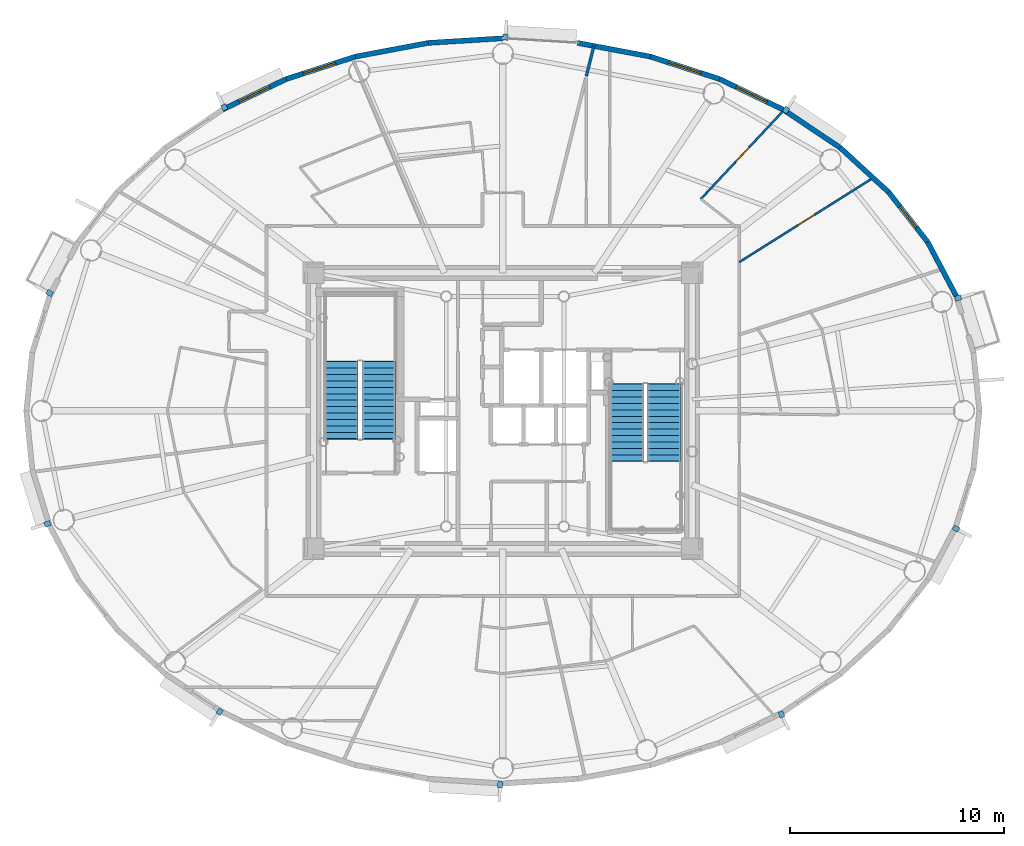
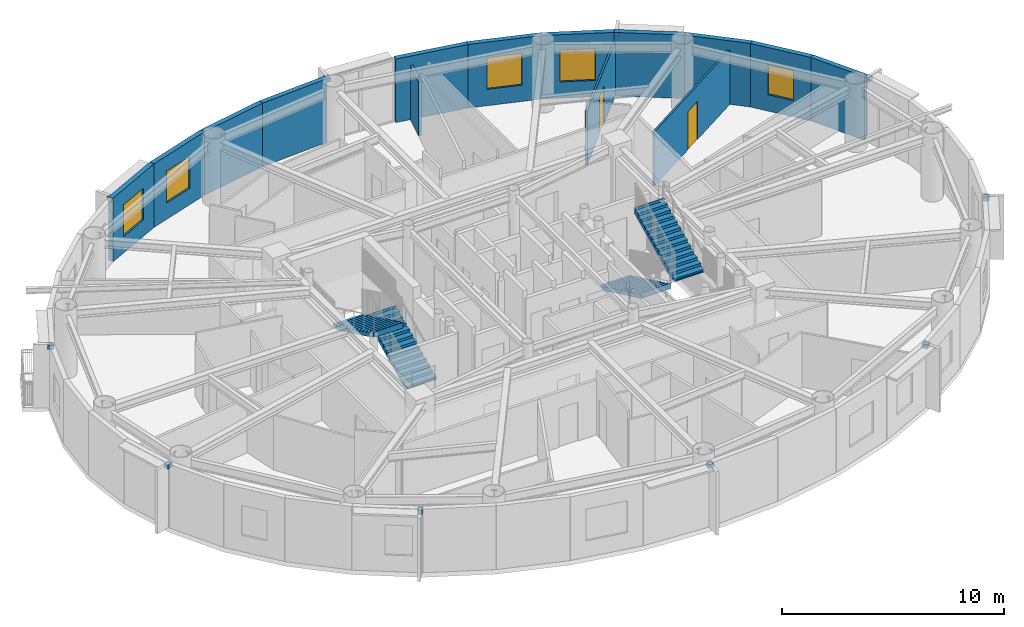
# One storey, part 10 of 18: 14 walls, 10 discrete accessories, 5 windows, 4 stair flights, 2 doors, 7 openings, 2 elements without a shape of their own.
"""IFC4 building model written with IfcOpenShell, lengths in metres."""

import ifcopenshell
import ifcopenshell.guid

model = None  # the IFC model being written
_history = None  # IfcOwnerHistory: only IFC2X3 demands one
_inside = {}  # id of a spatial element -> (the spatial element, [elements in it])
_under = {}  # id of a project, library or spatial element -> (it, [spatial elements below it])
_declared = {}  # id of a project -> (the project, [libraries it declares])
_typed = {}  # id of a type object -> (the type object, [elements of that type])
_made_of = {}  # id of a material, layer set ... -> (it, [elements and type objects made of it])


def new_model(schema):
    """Start an empty IFC model of exactly this schema.

    Asked for "IFC4X3", IfcOpenShell would pick the latest addendum, in which some entities
    have other attributes; the version numbers below select the first issue.
    IFC2X3 requires an IfcOwnerHistory on every rooted entity: one is made here for all.
    """
    global model, _history
    if schema == "IFC4X3":
        model = ifcopenshell.file(schema_version=(4, 3, 0, 0))
    else:
        model = ifcopenshell.file(schema=schema)
    _inside.clear()
    _under.clear()
    _declared.clear()
    _typed.clear()
    _made_of.clear()
    _history = None
    if model.schema == "IFC2X3":
        org = make("IfcOrganization", Name="unknown")
        user = make(
            "IfcPersonAndOrganization",
            ThePerson=make("IfcPerson", FamilyName="unknown"),
            TheOrganization=org,
        )
        app = make(
            "IfcApplication",
            ApplicationDeveloper=org,
            Version="unknown",
            ApplicationFullName="unknown",
            ApplicationIdentifier="unknown",
        )
        _history = make(
            "IfcOwnerHistory",
            OwningUser=user,
            OwningApplication=app,
            ChangeAction="ADDED",
            CreationDate=0,
        )
    return model


def make(cls, **values):
    """One entity of the class cls with the attributes given. An attribute that is None is left unset."""
    return model.create_entity(
        cls, **{name: value for name, value in values.items() if value is not None}
    )


def rooted(cls, **values):
    """An entity with a GlobalId (a new one), such as an element, a storey or a relation."""
    return make(cls, GlobalId=ifcopenshell.guid.new(), OwnerHistory=_history, **values)


def si_unit(unit_type, name, prefix=None):
    """IfcSIUnit, for example si_unit("LENGTHUNIT", "METRE", prefix="MILLI")."""
    return make("IfcSIUnit", UnitType=unit_type, Prefix=prefix, Name=name)


def assignment(units):
    """IfcUnitAssignment: the units of a project."""
    return None if units is None else make("IfcUnitAssignment", Units=units)


def point(xyz):
    """IfcCartesianPoint."""
    return None if xyz is None else make("IfcCartesianPoint", Coordinates=xyz)


def direction(xyz):
    """IfcDirection."""
    return None if xyz is None else make("IfcDirection", DirectionRatios=xyz)


def frame(location, z_axis=None, x_axis=None):
    """IfcAxis2Placement3D, a coordinate frame: its origin and axes. An axis left out is left unset."""
    return make(
        "IfcAxis2Placement3D",
        Location=point(location),
        Axis=direction(z_axis),
        RefDirection=direction(x_axis),
    )


def frame_2d(location, x_axis=None):
    """IfcAxis2Placement2D, a coordinate frame in the plane: its origin and x axis."""
    return make(
        "IfcAxis2Placement2D", Location=point(location), RefDirection=direction(x_axis)
    )


def origin():
    """The frame at (0, 0, 0) with its axes left unset."""
    return frame((0.0, 0.0, 0.0))


def origin_2d():
    """The frame at (0, 0) in the plane with its x axis left unset."""
    return frame_2d((0.0, 0.0))


def place(relative_to, where):
    """IfcLocalPlacement: puts the frame where relative to a parent placement (None: the world)."""
    return make(
        "IfcLocalPlacement", PlacementRelTo=relative_to, RelativePlacement=where
    )


def context(
    kind, dimensions, precision=None, world=None, true_north=None, identifier=None
):
    """IfcGeometricRepresentationContext, for example the 3D "Model" context."""
    return make(
        "IfcGeometricRepresentationContext",
        ContextIdentifier=identifier,
        ContextType=kind,
        CoordinateSpaceDimension=dimensions,
        Precision=precision,
        WorldCoordinateSystem=world,
        TrueNorth=true_north,
    )


def subcontext(parent, identifier, kind, view, scale=None):
    """IfcGeometricRepresentationSubContext, for example "Body" below "Model"."""
    return make(
        "IfcGeometricRepresentationSubContext",
        ContextIdentifier=identifier,
        ContextType=kind,
        ParentContext=parent,
        TargetScale=scale,
        TargetView=view,
    )


def project(units=None, contexts=None):
    """IfcProject with its units and contexts."""
    return rooted(
        "IfcProject",
        Name="project",
        RepresentationContexts=contexts,
        UnitsInContext=assignment(units),
    )


def spatial(cls, under=None, at=None, **own):
    """A site, building, storey or space (cls), placed at a placement, below another one or the project."""
    s = rooted(cls, ObjectPlacement=at, **own)
    if under is not None:
        _under.setdefault(under.id(), (under, []))[1].append(s)
    return s


def polyline(points):
    """IfcPolyline through the points."""
    return make("IfcPolyline", Points=[point(p) for p in points])


def profile(cls, at=None, kind="AREA", **sizes):
    """A parametric profile (cls). Its sizes go by their IFC names, for example OverallWidth=200.0."""
    return make(cls, ProfileType=kind, Position=at, **sizes)


def rectangle(**sizes):
    """IfcRectangleProfileDef."""
    return profile("IfcRectangleProfileDef", **sizes)


def outline(outer, holes=None, kind="AREA"):
    """IfcArbitraryClosedProfileDef: a profile drawn as a closed curve; with holes, ...WithVoids."""
    if holes is None:
        return make("IfcArbitraryClosedProfileDef", ProfileType=kind, OuterCurve=outer)
    return make(
        "IfcArbitraryProfileDefWithVoids",
        ProfileType=kind,
        OuterCurve=outer,
        InnerCurves=holes,
    )


def extrude(swept, where, along, depth):
    """IfcExtrudedAreaSolid: the profile swept, set in the frame where, extruded along a direction by depth."""
    return make(
        "IfcExtrudedAreaSolid",
        SweptArea=swept,
        Position=where,
        ExtrudedDirection=direction(along),
        Depth=depth,
    )


def shape(context_of_items, identifier, shape_type, items):
    """IfcShapeRepresentation: the items that make up one representation, for example the "Body"."""
    return make(
        "IfcShapeRepresentation",
        ContextOfItems=context_of_items,
        RepresentationIdentifier=identifier,
        RepresentationType=shape_type,
        Items=items,
    )


def source(mapping_origin, context_of_items, identifier, shape_type, items):
    """IfcRepresentationMap: a shape defined once, which mapped items show again and again."""
    return make(
        "IfcRepresentationMap",
        MappingOrigin=mapping_origin,
        MappedRepresentation=shape(context_of_items, identifier, shape_type, items),
    )


def transform(
    local_origin,
    x_axis=None,
    y_axis=None,
    z_axis=None,
    scale=None,
    scale2=None,
    scale3=None,
    uniform=True,
):
    """IfcCartesianTransformationOperator3D, or its non-uniform kind. x_axis, y_axis, z_axis: its Axis1, 2, 3."""
    if uniform:
        return make(
            "IfcCartesianTransformationOperator3D",
            Axis1=direction(x_axis),
            Axis2=direction(y_axis),
            LocalOrigin=point(local_origin),
            Scale=scale,
            Axis3=direction(z_axis),
        )
    return make(
        "IfcCartesianTransformationOperator3DnonUniform",
        Axis1=direction(x_axis),
        Axis2=direction(y_axis),
        LocalOrigin=point(local_origin),
        Scale=scale,
        Axis3=direction(z_axis),
        Scale2=scale2,
        Scale3=scale3,
    )


def mapped(mapping_source, mapping_target):
    """IfcMappedItem: shows the shape of a source again, moved by a transform."""
    return make(
        "IfcMappedItem", MappingSource=mapping_source, MappingTarget=mapping_target
    )


def material(Name=None, Category=None):
    """IfcMaterial."""
    return make("IfcMaterial", Name=Name, Category=Category)


def layer(
    of_material, thickness, ventilated=None, Name=None, Category=None, Priority=None
):
    """IfcMaterialLayer: one layer of a wall or slab, of a material (None: an air gap)."""
    return make(
        "IfcMaterialLayer",
        Material=of_material,
        LayerThickness=thickness,
        IsVentilated=ventilated,
        Name=Name,
        Category=Category,
        Priority=Priority,
    )


def layer_set(layers, Name=None):
    """IfcMaterialLayerSet."""
    return make("IfcMaterialLayerSet", MaterialLayers=layers, LayerSetName=Name)


def made_of(thing, what):
    """Note that an element or type object is made of a material, layer set ...; save() writes the relation."""
    if what is not None:
        _made_of.setdefault(what.id(), (what, []))[1].append(thing)
    return thing


def type_object(cls, material=None, **own):
    """A type object (cls), such as IfcWallType, which elements share."""
    return made_of(rooted(cls, **own), material)


def element(
    cls,
    number,
    at=None,
    inside=None,
    cuts=None,
    type_object=None,
    material=None,
    context=None,
    identifier="Body",
    shape_type=None,
    held_by="IfcProductDefinitionShape",
    body=None,
    shapes=None,
    **own,
):
    """One element of the class cls, such as IfcWall. Its Tag is "e" and its number.

    at: its placement. inside: the storey or other place that contains it. cuts: it is an
    opening in that element (IfcRelVoidsElement). A single representation is given by context,
    identifier, shape_type and body (its items); several are given by shapes. held_by: the class
    of the entity that holds the representations. save() writes the other relations.
    """
    e = rooted(cls, Tag="e%d" % number, ObjectPlacement=at, **own)
    if body is not None:
        shapes = [shape(context, identifier, shape_type, body)]
    if shapes is not None:
        e.Representation = make(held_by, Representations=shapes)
    if inside is not None:
        _inside.setdefault(inside.id(), (inside, []))[1].append(e)
    if cuts is not None:
        rooted(
            "IfcRelVoidsElement", RelatingBuildingElement=cuts, RelatedOpeningElement=e
        )
    if type_object is not None:
        _typed.setdefault(type_object.id(), (type_object, []))[1].append(e)
    return made_of(e, material)


def fill(opening, filler):
    """IfcRelFillsElement: the door or window that sits in an opening."""
    return rooted(
        "IfcRelFillsElement",
        RelatingOpeningElement=opening,
        RelatedBuildingElement=filler,
    )


def aggregate(whole, parts):
    """IfcRelAggregates: a whole, such as a stair, and the parts it consists of."""
    return rooted("IfcRelAggregates", RelatingObject=whole, RelatedObjects=parts)


def save(model, path):
    """Write the relations noted so far, then the file.

    IfcRelAggregates (storeys below a building ...), IfcRelContainedInSpatialStructure (elements
    in a storey), IfcRelDefinesByType, IfcRelAssociatesMaterial and IfcRelDeclares: one each for
    every whole, place, type object, material and project.
    """
    for whole, parts in _under.values():
        aggregate(whole, parts)
    for where, things in _inside.values():
        rooted(
            "IfcRelContainedInSpatialStructure",
            RelatedElements=things,
            RelatingStructure=where,
        )
    for kind, things in _typed.values():
        rooted("IfcRelDefinesByType", RelatedObjects=things, RelatingType=kind)
    for what, things in _made_of.values():
        rooted("IfcRelAssociatesMaterial", RelatedObjects=things, RelatingMaterial=what)
    for by, libraries in _declared.values():
        rooted("IfcRelDeclares", RelatingContext=by, RelatedDefinitions=libraries)
    model.write(path)


model = new_model("IFC4")

# Units and contexts
model_context = context("Model", 3, precision=1e-05, world=origin(), true_north=direction((0.0, 1.0)))
body_context = subcontext(model_context, "Body", "Model", "MODEL_VIEW")
ifc_project = project(units=[si_unit("LENGTHUNIT", "METRE"), si_unit("AREAUNIT", "SQUARE_METRE"), si_unit("VOLUMEUNIT", "CUBIC_METRE"), si_unit("PLANEANGLEUNIT", "RADIAN"), si_unit("MASSUNIT", "GRAM", prefix="KILO")], contexts=[model_context])

# Site, building, storey
site_placement = place(None, origin())
site = spatial("IfcSite", under=ifc_project, at=site_placement, CompositionType="ELEMENT")
building_placement = place(site_placement, origin())
building = spatial("IfcBuilding", under=site, at=building_placement, Name="Linh Dai School and Residence Tower", CompositionType="ELEMENT")
storey_placement = place(building_placement, frame((0.0, 0.0, 295.5)))
storey = spatial("IfcBuildingStorey", under=building, at=storey_placement, Name="L73", CompositionType="ELEMENT", Elevation=295.5)

# Wall
ifc_material_1 = material(Name="Precast Concrete B45 (C35/45)", Category="concrete")
ifc_layer_1 = layer(ifc_material_1, 0.239990234375)
ifc_layer_set_1 = layer_set([ifc_layer_1], Name="Precast Concrete B45 (C35/45)")
wall_type_1 = type_object("IfcWallType", Name="EW-TC-240", PredefinedType="SOLIDWALL", material=ifc_layer_set_1)
wall_1_placement = place(storey_placement, frame((55.853759765625, 34.894775390625, 0.0), z_axis=(0.0, 0.0, 1.0), x_axis=(0.467628269026, -0.883925224218, 0.0)))
element("IfcWall", 1, at=wall_1_placement, inside=storey, type_object=wall_type_1, Name="L73 Terracotta Exterior Wall 03", PredefinedType="SOLIDWALL", context=body_context, shape_type="SweptSolid", body=[
    extrude(rectangle(XDim=2.853759765625, YDim=0.239990234375, at=frame_2d((1.4267578125, 0.0))), origin(), (0.0, 0.0, 1.0), 3.5),
])

# Wall, opening, window
wall_2_placement = place(storey_placement, frame((54.0302734375, 37.224609375, 0.0), z_axis=(0.0, 0.0, 1.0), x_axis=(0.616337186556, -0.787482363275, 0.0)))
wall_2 = element("IfcWall", 2, at=wall_2_placement, inside=storey, type_object=wall_type_1, Name="L73 Terracotta Exterior Wall 04", PredefinedType="SOLIDWALL", context=body_context, shape_type="SweptSolid", body=[
    extrude(rectangle(XDim=2.95849609375, YDim=0.239990234375, at=frame_2d((1.479248046875, 0.0))), origin(), (0.0, 0.0, 1.0), 3.5),
])
opening_1_placement = place(wall_2_placement, frame((0.85400390625, 0.0, 0.89990234375)))
opening_1 = element("IfcOpeningElement", 3, at=opening_1_placement, cuts=wall_2, Name="Opening W3", PredefinedType="OPENING", context=body_context, shape_type="SweptSolid", body=[
    extrude(rectangle(XDim=1.25, YDim=1.64990234375, at=origin_2d()), frame((0.625, 0.1298828125, 0.824951171875), z_axis=(0.0, -1.0, 0.0), x_axis=(1.0, 0.0, 0.0)), (0.0, 0.0, 1.0), 0.260009765625),
])
ifc_material_2 = material(Name="Double Low-E Insulated Glazing", Category="glass")
window_type_1 = type_object("IfcWindowType", Name="WN-RES-1250x1650", PartitioningType="SINGLE_PANEL", PredefinedType="WINDOW", material=ifc_material_2)
shared_shape_1 = source(origin(), body_context, "Body", "SweptSolid", [
    extrude(rectangle(XDim=1.25, YDim=1.64990234375, at=origin_2d()), frame((0.625, 0.030029296875, 0.824951171875), z_axis=(0.0, -1.0, 0.0), x_axis=(1.0, 0.0, 0.0)), (0.0, 0.0, 1.0), 0.06005859375),
])
window_1_placement = place(opening_1_placement, origin())
window_1 = element("IfcWindow", 4, at=window_1_placement, inside=storey, type_object=window_type_1, Name="L73 Exterior Window 04.1", OverallHeight=1.64990234375, OverallWidth=1.25, PartitioningType="SINGLE_PANEL", PredefinedType="WINDOW", context=body_context, shape_type="MappedRepresentation", body=[
    mapped(shared_shape_1, transform((0.0, 0.0, 0.0), x_axis=(1.0, 0.0, 0.0), y_axis=(0.0, 1.0, 0.0), z_axis=(0.0, 0.0, 1.0), scale=1.0)),
])
fill(opening_1, window_1)

# Walls
wall_3_placement = place(storey_placement, frame((51.76220703125, 39.30419921875, 0.0), z_axis=(0.0, 0.0, 1.0), x_axis=(0.737068506972, -0.675818034703, 0.0)))
element("IfcWall", 5, at=wall_3_placement, inside=storey, type_object=wall_type_1, Name="L73 Terracotta Exterior Wall 05", PredefinedType="SOLIDWALL", context=body_context, shape_type="SweptSolid", body=[
    extrude(rectangle(XDim=3.0771484375, YDim=0.239990234375, at=frame_2d((1.53857421875, 0.0))), origin(), (0.0, 0.0, 1.0), 3.5),
])
wall_4_placement = place(storey_placement, frame((49.1044921875, 41.08154296875, 0.0), z_axis=(0.0, 0.0, 1.0), x_axis=(0.831250592635, -0.55589787933, 0.0)))
element("IfcWall", 6, at=wall_4_placement, inside=storey, type_object=wall_type_1, Name="L73 Terracotta Exterior Wall 06", PredefinedType="SOLIDWALL", context=body_context, shape_type="SweptSolid", body=[
    extrude(rectangle(XDim=3.197265625, YDim=0.239990234375, at=frame_2d((1.5986328125, 0.0))), origin(), (0.0, 0.0, 1.0), 3.5),
])

# Wall, opening, window
wall_5_placement = place(storey_placement, frame((46.123046875, 42.51220703125, 0.0), z_axis=(0.0, 0.0, 1.0), x_axis=(0.901573741254, -0.43262546051, 0.0)))
wall_5 = element("IfcWall", 7, at=wall_5_placement, inside=storey, type_object=wall_type_1, Name="L73 Terracotta Exterior Wall 07", PredefinedType="SOLIDWALL", context=body_context, shape_type="SweptSolid", body=[
    extrude(rectangle(XDim=3.306884765625, YDim=0.239990234375, at=frame_2d((1.6533203125, 0.0))), origin(), (0.0, 0.0, 1.0), 3.5),
])
opening_2_placement = place(wall_5_placement, frame((0.8583984375, 0.0, 0.89990234375)))
opening_2 = element("IfcOpeningElement", 8, at=opening_2_placement, cuts=wall_5, Name="Opening W2", PredefinedType="OPENING", context=body_context, shape_type="SweptSolid", body=[
    extrude(rectangle(XDim=1.60009765625, YDim=1.75, at=origin_2d()), frame((0.800048828125, 0.1298828125, 0.875), z_axis=(0.0, -1.0, 0.0), x_axis=(1.0, 0.0, 0.0)), (0.0, 0.0, 1.0), 0.260009765625),
])
window_type_2 = type_object("IfcWindowType", Name="WN-RES-1600x1750", PartitioningType="DOUBLE_PANEL_VERTICAL", PredefinedType="WINDOW", material=ifc_material_2)
shared_shape_2 = source(origin(), body_context, "Body", "SweptSolid", [
    extrude(rectangle(XDim=1.60009765625, YDim=1.75, at=origin_2d()), frame((0.800048828125, 0.030029296875, 0.875), z_axis=(0.0, -1.0, 0.0), x_axis=(1.0, 0.0, 0.0)), (0.0, 0.0, 1.0), 0.06005859375),
])
window_2_placement = place(opening_2_placement, origin())
window_2 = element("IfcWindow", 9, at=window_2_placement, inside=storey, type_object=window_type_2, Name="L73 Exterior Window 07.1", OverallHeight=1.75, OverallWidth=1.60009765625, PartitioningType="DOUBLE_PANEL_VERTICAL", PredefinedType="WINDOW", context=body_context, shape_type="MappedRepresentation", body=[
    mapped(shared_shape_2, transform((0.0, 0.0, 0.0), x_axis=(1.0, 0.0, 0.0), y_axis=(0.0, 1.0, 0.0), z_axis=(0.0, 0.0, 1.0), scale=1.0)),
])
fill(opening_2, window_2)

wall_6_placement = place(storey_placement, frame((42.89111328125, 43.560302734375, 0.0), z_axis=(0.0, 0.0, 1.0), x_axis=(0.95123136723, -0.308478339592, 0.0)))
wall_6 = element("IfcWall", 10, at=wall_6_placement, inside=storey, type_object=wall_type_1, Name="L73 Terracotta Exterior Wall 08", PredefinedType="SOLIDWALL", context=body_context, shape_type="SweptSolid", body=[
    extrude(rectangle(XDim=3.397705078125, YDim=0.239990234375, at=frame_2d((1.69873046875, 0.0))), origin(), (0.0, 0.0, 1.0), 3.5),
])
opening_3_placement = place(wall_6_placement, frame((0.898681640625, 0.0, 0.89990234375)))
opening_3 = element("IfcOpeningElement", 11, at=opening_3_placement, cuts=wall_6, Name="Opening W2", PredefinedType="OPENING", context=body_context, shape_type="SweptSolid", body=[
    extrude(rectangle(XDim=1.60009765625, YDim=1.75, at=origin_2d()), frame((0.800048828125, 0.1298828125, 0.875), z_axis=(0.0, -1.0, 0.0), x_axis=(1.0, 0.0, 0.0)), (0.0, 0.0, 1.0), 0.260009765625),
])
window_3_placement = place(opening_3_placement, origin())
window_3 = element("IfcWindow", 12, at=window_3_placement, inside=storey, type_object=window_type_2, Name="L73 Exterior Window 08.1", OverallHeight=1.75, OverallWidth=1.60009765625, PartitioningType="DOUBLE_PANEL_VERTICAL", PredefinedType="WINDOW", context=body_context, shape_type="MappedRepresentation", body=[
    mapped(shared_shape_2, transform((0.0, 0.0, 0.0), x_axis=(1.0, 0.0, 0.0), y_axis=(0.0, 1.0, 0.0), z_axis=(0.0, 0.0, 1.0), scale=1.0)),
])
fill(opening_3, window_3)

# Walls
wall_7_placement = place(storey_placement, frame((39.48876953125, 44.199951171875, 0.0), z_axis=(0.0, 0.0, 1.0), x_axis=(0.982782655757, -0.184765395959, 0.0)))
element("IfcWall", 13, at=wall_7_placement, inside=storey, type_object=wall_type_1, Name="L73 Terracotta Exterior Wall 09", PredefinedType="SOLIDWALL", context=body_context, shape_type="SweptSolid", body=[
    extrude(rectangle(XDim=3.4619140625, YDim=0.239990234375, at=frame_2d((1.73095703125, 0.0))), origin(), (0.0, 0.0, 1.0), 3.5),
])
wall_8_placement = place(storey_placement, frame((32.51123046875, 44.199951171875, 0.0), z_axis=(0.0, 0.0, 1.0), x_axis=(0.998104946479, 0.061534671648, 0.0)))
element("IfcWall", 14, at=wall_8_placement, inside=storey, type_object=wall_type_1, Name="L73 Terracotta Exterior Wall 11", PredefinedType="SOLIDWALL", context=body_context, shape_type="SweptSolid", body=[
    extrude(rectangle(XDim=3.495361328125, YDim=0.239990234375, at=frame_2d((1.74755859375, 0.0))), origin(), (0.0, 0.0, 1.0), 3.5),
])
wall_9_placement = place(storey_placement, frame((29.10888671875, 43.560302734375, 0.0), z_axis=(0.0, 0.0, 1.0), x_axis=(0.982782655757, 0.184765395959, 0.0)))
element("IfcWall", 15, at=wall_9_placement, inside=storey, type_object=wall_type_1, Name="L73 Terracotta Exterior Wall 12", PredefinedType="SOLIDWALL", context=body_context, shape_type="SweptSolid", body=[
    extrude(rectangle(XDim=3.4619140625, YDim=0.239990234375, at=frame_2d((1.73095703125, 0.0))), origin(), (0.0, 0.0, 1.0), 3.5),
])

# Wall, opening, window
wall_10_placement = place(storey_placement, frame((25.876953125, 42.51220703125, 0.0), z_axis=(0.0, 0.0, 1.0), x_axis=(0.95123136723, 0.308478339592, 0.0)))
wall_10 = element("IfcWall", 16, at=wall_10_placement, inside=storey, type_object=wall_type_1, Name="L73 Terracotta Exterior Wall 13", PredefinedType="SOLIDWALL", context=body_context, shape_type="SweptSolid", body=[
    extrude(rectangle(XDim=3.397705078125, YDim=0.239990234375, at=frame_2d((1.69873046875, 0.0))), origin(), (0.0, 0.0, 1.0), 3.5),
])
opening_4_placement = place(wall_10_placement, frame((0.82421875, 0.0, 0.89990234375)))
opening_4 = element("IfcOpeningElement", 17, at=opening_4_placement, cuts=wall_10, Name="Opening W2", PredefinedType="OPENING", context=body_context, shape_type="SweptSolid", body=[
    extrude(rectangle(XDim=1.60009765625, YDim=1.75, at=origin_2d()), frame((0.800048828125, 0.1298828125, 0.875), z_axis=(0.0, -1.0, 0.0), x_axis=(1.0, 0.0, 0.0)), (0.0, 0.0, 1.0), 0.260009765625),
])
window_4_placement = place(opening_4_placement, origin())
window_4 = element("IfcWindow", 18, at=window_4_placement, inside=storey, type_object=window_type_2, Name="L73 Exterior Window 13.1", OverallHeight=1.75, OverallWidth=1.60009765625, PartitioningType="DOUBLE_PANEL_VERTICAL", PredefinedType="WINDOW", context=body_context, shape_type="MappedRepresentation", body=[
    mapped(shared_shape_2, transform((0.0, 0.0, 0.0), x_axis=(1.0, 0.0, 0.0), y_axis=(0.0, 1.0, 0.0), z_axis=(0.0, 0.0, 1.0), scale=1.0)),
])
fill(opening_4, window_4)

wall_11_placement = place(storey_placement, frame((22.8955078125, 41.08154296875, 0.0), z_axis=(0.0, 0.0, 1.0), x_axis=(0.901573741254, 0.43262546051, 0.0)))
wall_11 = element("IfcWall", 19, at=wall_11_placement, inside=storey, type_object=wall_type_1, Name="L73 Terracotta Exterior Wall 14", PredefinedType="SOLIDWALL", context=body_context, shape_type="SweptSolid", body=[
    extrude(rectangle(XDim=3.306884765625, YDim=0.239990234375, at=frame_2d((1.6533203125, 0.0))), origin(), (0.0, 0.0, 1.0), 3.5),
])
opening_5_placement = place(wall_11_placement, frame((0.853515625, 0.0, 0.89990234375)))
opening_5 = element("IfcOpeningElement", 20, at=opening_5_placement, cuts=wall_11, Name="Opening W2", PredefinedType="OPENING", context=body_context, shape_type="SweptSolid", body=[
    extrude(rectangle(XDim=1.60009765625, YDim=1.75, at=origin_2d()), frame((0.800048828125, 0.1298828125, 0.875), z_axis=(0.0, -1.0, 0.0), x_axis=(1.0, 0.0, 0.0)), (0.0, 0.0, 1.0), 0.260009765625),
])
window_5_placement = place(opening_5_placement, origin())
window_5 = element("IfcWindow", 21, at=window_5_placement, inside=storey, type_object=window_type_2, Name="L73 Exterior Window 14.1", OverallHeight=1.75, OverallWidth=1.60009765625, PartitioningType="DOUBLE_PANEL_VERTICAL", PredefinedType="WINDOW", context=body_context, shape_type="MappedRepresentation", body=[
    mapped(shared_shape_2, transform((0.0, 0.0, 0.0), x_axis=(1.0, 0.0, 0.0), y_axis=(0.0, 1.0, 0.0), z_axis=(0.0, 0.0, 1.0), scale=1.0)),
])
fill(opening_5, window_5)

# Wall
ifc_material_3 = material(Name="Autoclaved Aerated Concrete Blockwork", Category="masonry")
ifc_layer_2 = layer(ifc_material_3, 0.135009765625)
ifc_layer_set_2 = layer_set([ifc_layer_2], Name="Autoclaved Aerated Concrete Blockwork")
wall_type_2 = type_object("IfcWallType", Name="IW-CORR-135-EI90", PredefinedType="PARTITIONING", material=ifc_layer_set_2)
wall_12_placement = place(storey_placement, frame((39.89990234375, 42.641845703125, 0.0), z_axis=(0.0, 0.0, 1.0), x_axis=(0.241985841386, 0.970279780563, 0.0)))
element("IfcWall", 22, at=wall_12_placement, inside=storey, type_object=wall_type_2, Name="L73 Interior Partition Wall 069", PredefinedType="PARTITIONING", context=body_context, shape_type="SweptSolid", body=[
    extrude(rectangle(XDim=1.462890625, YDim=0.135009765625, at=frame_2d((0.7314453125, 0.0))), origin(), (0.0, 0.0, 1.0), 2.985107421875),
])

# Wall, opening, door
ifc_material_4 = material(Name="Gypsum Plasterboard Acoustic Stud Partition", Category="masonry")
ifc_layer_3 = layer(ifc_material_4, 0.10009765625)
ifc_layer_set_3 = layer_set([ifc_layer_3], Name="Gypsum Plasterboard Acoustic Stud Partition")
wall_type_3 = type_object("IfcWallType", Name="IW-UNIT-100", PredefinedType="PARTITIONING", material=ifc_layer_set_3)
wall_13_placement = place(storey_placement, frame((45.254150390625, 36.903564453125, 0.0), z_axis=(0.0, 0.0, 1.0), x_axis=(0.682727638106, 0.73067295842, 0.0)))
wall_13 = element("IfcWall", 23, at=wall_13_placement, inside=storey, type_object=wall_type_3, Name="L73 Interior Partition Wall 080", PredefinedType="PARTITIONING", context=body_context, shape_type="SweptSolid", body=[
    extrude(rectangle(XDim=5.69287109375, YDim=0.10009765625, at=frame_2d((2.846435546875, 0.0))), origin(), (0.0, 0.0, 1.0), 2.985107421875),
])
opening_6_placement = place(wall_13_placement, frame((2.396484375, 0.0, 0.0)))
opening_6 = element("IfcOpeningElement", 24, at=opening_6_placement, cuts=wall_13, Name="Opening D05", PredefinedType="OPENING", context=body_context, shape_type="SweptSolid", body=[
    extrude(rectangle(XDim=0.89990234375, YDim=2.10009765625, at=origin_2d()), frame((0.449951171875, 0.06005859375, 1.050048828125), z_axis=(0.0, -1.0, 0.0), x_axis=(1.0, 0.0, 0.0)), (0.0, 0.0, 1.0), 0.1201171875),
])
ifc_material_5 = material(Name="Engineered Timber Internal Door", Category="wood")
door_type = type_object("IfcDoorType", Name="DR-INT-900x2100", OperationType="NOTDEFINED", PredefinedType="DOOR", material=ifc_material_5)
shared_shape_3 = source(origin(), body_context, "Body", "SweptSolid", [
    extrude(rectangle(XDim=0.89990234375, YDim=2.10009765625, at=origin_2d()), frame((0.449951171875, 0.02490234375, 1.050048828125), z_axis=(0.0, -1.0, 0.0), x_axis=(1.0, 0.0, 0.0)), (0.0, 0.0, 1.0), 0.050048828125),
])
door_1_placement = place(opening_6_placement, origin())
door_1 = element("IfcDoor", 25, at=door_1_placement, inside=storey, type_object=door_type, Name="L73 Apartment U7308 Study Door", OperationType="SINGLE_SWING_LEFT", OverallHeight=2.10009765625, OverallWidth=0.89990234375, PredefinedType="DOOR", context=body_context, shape_type="MappedRepresentation", body=[
    mapped(shared_shape_3, transform((0.0, 0.0, 0.0), x_axis=(1.0, 0.0, 0.0), y_axis=(0.0, 1.0, 0.0), z_axis=(0.0, 0.0, 1.0), scale=1.0)),
])
fill(opening_6, door_1)

wall_14_placement = place(storey_placement, frame((47.050048828125, 33.9541015625, 0.0), z_axis=(0.0, 0.0, 1.0), x_axis=(0.846339777122, 0.532643390704, 0.0)))
wall_14 = element("IfcWall", 26, at=wall_14_placement, inside=storey, type_object=wall_type_3, Name="L73 Interior Partition Wall 085", PredefinedType="PARTITIONING", context=body_context, shape_type="SweptSolid", body=[
    extrude(rectangle(XDim=7.39501953125, YDim=0.10009765625, at=frame_2d((3.697509765625, 0.0))), origin(), (0.0, 0.0, 1.0), 2.985107421875),
])
opening_7_placement = place(wall_14_placement, frame((3.24755859375, 0.0, 0.0)))
opening_7 = element("IfcOpeningElement", 27, at=opening_7_placement, cuts=wall_14, Name="Opening D05", PredefinedType="OPENING", context=body_context, shape_type="SweptSolid", body=[
    extrude(rectangle(XDim=0.89990234375, YDim=2.10009765625, at=origin_2d()), frame((0.449951171875, 0.06005859375, 1.050048828125), z_axis=(0.0, -1.0, 0.0), x_axis=(1.0, 0.0, 0.0)), (0.0, 0.0, 1.0), 0.1201171875),
])
door_2_placement = place(opening_7_placement, origin())
door_2 = element("IfcDoor", 28, at=door_2_placement, inside=storey, type_object=door_type, Name="L73 Apartment U7308 Principal Bedroom 1 Door", OperationType="SINGLE_SWING_LEFT", OverallHeight=2.10009765625, OverallWidth=0.89990234375, PredefinedType="DOOR", context=body_context, shape_type="MappedRepresentation", body=[
    mapped(shared_shape_3, transform((0.0, 0.0, 0.0), x_axis=(1.0, 0.0, 0.0), y_axis=(0.0, 1.0, 0.0), z_axis=(0.0, 0.0, 1.0), scale=1.0)),
])
fill(opening_7, door_2)

# Stair, stair flights
ifc_material_6 = material(Name="Concrete B45 (C35/45)", Category="concrete")
stair_type = type_object("IfcStairType", Name="ST-DOG-1550-R1442", PredefinedType="HALF_TURN_STAIR", material=ifc_material_6)
stair_1_placement = place(storey_placement, origin())
stair_1 = element("IfcStair", 29, at=stair_1_placement, inside=storey, type_object=stair_type, Name="L73 Core Smokeproof Exit Stair ST1", PredefinedType="HALF_TURN_STAIR")
stair_flight_type = type_object("IfcStairFlightType", Name="STF-STR-1550-R1442", PredefinedType="STRAIGHT", material=ifc_material_6)
shared_shape_4 = source(origin(), body_context, "Body", "SweptSolid", [
    extrude(outline(polyline([(-0.02490234375, 0.0), (-0.02490234375, 0.06005859375), (0.0, 0.06005859375), (0.0, 0.144287109375), (0.300048828125, 0.144287109375), (0.300048828125, 0.28857421875), (0.60009765625, 0.28857421875), (0.60009765625, 0.4326171875), (0.89990234375, 0.4326171875), (0.89990234375, 0.576904296875), (1.199951171875, 0.576904296875), (1.199951171875, 0.72119140625), (1.5, 0.72119140625), (1.5, 0.865478515625), (1.800048828125, 0.865478515625), (1.800048828125, 1.009521484375), (2.10009765625, 1.009521484375), (2.10009765625, 1.15380859375), (2.39990234375, 1.15380859375), (2.39990234375, 1.298095703125), (2.699951171875, 1.298095703125), (2.699951171875, 1.4423828125), (3.0, 1.4423828125), (3.0, 1.58642578125), (3.300048828125, 1.58642578125), (3.300048828125, 1.730712890625), (3.60009765625, 1.730712890625), (3.60009765625, 1.875), (3.625, 1.875), (3.625, 1.564453125), (3.60009765625, 1.564453125), (0.345947265625, 0.0), (-0.02490234375, 0.0)])), frame((0.0, 0.77490234375, 0.0), z_axis=(0.0, -1.0, 0.0), x_axis=(1.0, 0.0, 0.0)), (0.0, 0.0, 1.0), 1.550048828125),
])
stair_flight_1_placement = place(storey_placement, frame((30.205078125, 25.699951171875, 0.0), z_axis=(0.0, 0.0, 1.0), x_axis=(0.0, 1.0, 0.0)))
stair_flight_1 = element("IfcStairFlight", 30, at=stair_flight_1_placement, type_object=stair_flight_type, Name="ST1 flight 1", NumberOfRisers=13, NumberOfTreads=12, PredefinedType="STRAIGHT", RiserHeight=0.144230769, TreadLength=0.3, context=body_context, shape_type="MappedRepresentation", body=[
    mapped(shared_shape_4, transform((0.0, 0.0, 0.0), x_axis=(1.0, 0.0, 0.0), y_axis=(0.0, 1.0, 0.0), z_axis=(0.0, 0.0, 1.0), scale=1.0)),
])
stair_flight_2_placement = place(storey_placement, frame((28.455078125, 29.300048828125, 1.875), z_axis=(0.0, 0.0, 1.0), x_axis=(0.0, -1.0, 0.0)))
stair_flight_2 = element("IfcStairFlight", 31, at=stair_flight_2_placement, type_object=stair_flight_type, Name="ST1 flight 2", NumberOfRisers=13, NumberOfTreads=12, PredefinedType="STRAIGHT", RiserHeight=0.144230769, TreadLength=0.3, context=body_context, shape_type="MappedRepresentation", body=[
    mapped(shared_shape_4, transform((0.0, 0.0, 0.0), x_axis=(1.0, 0.0, 0.0), y_axis=(0.0, 1.0, 0.0), z_axis=(0.0, 0.0, 1.0), scale=1.0)),
])
aggregate(stair_1, [stair_flight_1, stair_flight_2])

stair_2_placement = place(storey_placement, origin())
stair_2 = element("IfcStair", 32, at=stair_2_placement, inside=storey, type_object=stair_type, Name="L73 Core Smokeproof Exit Stair ST2", PredefinedType="HALF_TURN_STAIR")
stair_flight_3_placement = place(storey_placement, frame((41.794921875, 28.25, 0.0), z_axis=(0.0, 0.0, 1.0), x_axis=(0.0, -1.0, 0.0)))
stair_flight_3 = element("IfcStairFlight", 33, at=stair_flight_3_placement, type_object=stair_flight_type, Name="ST2 flight 1", NumberOfRisers=13, NumberOfTreads=12, PredefinedType="STRAIGHT", RiserHeight=0.144230769, TreadLength=0.3, context=body_context, shape_type="MappedRepresentation", body=[
    mapped(shared_shape_4, transform((0.0, 0.0, 0.0), x_axis=(1.0, 0.0, 0.0), y_axis=(0.0, 1.0, 0.0), z_axis=(0.0, 0.0, 1.0), scale=1.0)),
])
stair_flight_4_placement = place(storey_placement, frame((43.544921875, 24.64990234375, 1.875), z_axis=(0.0, 0.0, 1.0), x_axis=(0.0, 1.0, 0.0)))
stair_flight_4 = element("IfcStairFlight", 34, at=stair_flight_4_placement, type_object=stair_flight_type, Name="ST2 flight 2", NumberOfRisers=13, NumberOfTreads=12, PredefinedType="STRAIGHT", RiserHeight=0.144230769, TreadLength=0.3, context=body_context, shape_type="MappedRepresentation", body=[
    mapped(shared_shape_4, transform((0.0, 0.0, 0.0), x_axis=(1.0, 0.0, 0.0), y_axis=(0.0, 1.0, 0.0), z_axis=(0.0, 0.0, 1.0), scale=1.0)),
])
aggregate(stair_2, [stair_flight_3, stair_flight_4])

# Discrete accessories
ifc_material_7 = material(Name="Structural Steel S355JR", Category="steel")
discrete_accessory_type = type_object("IfcDiscreteAccessoryType", Name="ACC-BRK-S355", PredefinedType="BRACKET", material=ifc_material_7)
shared_shape_5 = source(origin(), body_context, "Body", "SweptSolid", [
    extrude(rectangle(XDim=0.280029296875, YDim=0.239990234375, at=origin_2d()), origin(), (0.0, 0.0, 1.0), 0.219970703125),
])
for number, where, z_axis, x_axis, name in (
    (35, (57.28076171875, 32.275146484375, 3.25), (0.0, 0.0, 1.0), (0.956069236934, 0.293140945944, 0.0), "L73 Facade Frame Anchor Bracket 02"),
    (36, (49.23779296875, 41.064697265625, 3.25), (0.0, 0.0, 1.0), (0.555907926874, 0.831243873264, 0.0), "L73 Facade Frame Anchor Bracket 06"),
    (37, (36.12353515625, 44.467529296875, 3.25), (0.0, 0.0, 1.0), (0.061509965157, 0.998106469364, 0.0), "L73 Facade Frame Anchor Bracket 10"),
    (38, (22.9775390625, 41.1875, 3.25), (0.0, 0.0, 1.0), (-0.432611916456, 0.901580240323, 0.0), "L73 Facade Frame Anchor Bracket 14"),
    (39, (14.81494140625, 32.50634765625, 3.25), (0.0, 0.0, 1.0), (-0.883938310975, 0.467603531201, 0.0), "L73 Facade Frame Anchor Bracket 18"),
    (40, (14.71923828125, 21.724853515625, 3.25), (0.0, 0.0, 1.0), (-0.956069236934, -0.293140945944, 0.0), "L73 Facade Frame Anchor Bracket 22"),
    (41, (22.76220703125, 12.935302734375, 3.25), (0.0, 0.0, 1.0), (-0.555905765624, -0.831245318631, 0.0), "L73 Facade Frame Anchor Bracket 26"),
    (42, (35.87646484375, 9.532470703125, 3.25), (0.0, 0.0, 1.0), (-0.061509965157, -0.998106469364, 0.0), "L73 Facade Frame Anchor Bracket 30"),
    (43, (49.0224609375, 12.8125, 3.25), (0.0, 0.0, 1.0), (0.432611916456, -0.901580240323, 0.0), "L73 Facade Frame Anchor Bracket 34"),
    (44, (57.18505859375, 21.49365234375, 3.25), (0.0, 0.0, 1.0), (0.883938310975, -0.467603531201, 0.0), "L73 Facade Frame Anchor Bracket 38"),
):
    element("IfcDiscreteAccessory", number, at=place(storey_placement, frame(where, z_axis=z_axis, x_axis=x_axis)), inside=storey, type_object=discrete_accessory_type, Name=name, PredefinedType="BRACKET", context=body_context, shape_type="MappedRepresentation", body=[
        mapped(shared_shape_5, transform((0.0, 0.0, 0.0), x_axis=(1.0, 0.0, 0.0), y_axis=(0.0, 1.0, 0.0), z_axis=(0.0, 0.0, 1.0), scale=1.0)),
    ])

save(model, "model.ifc")
